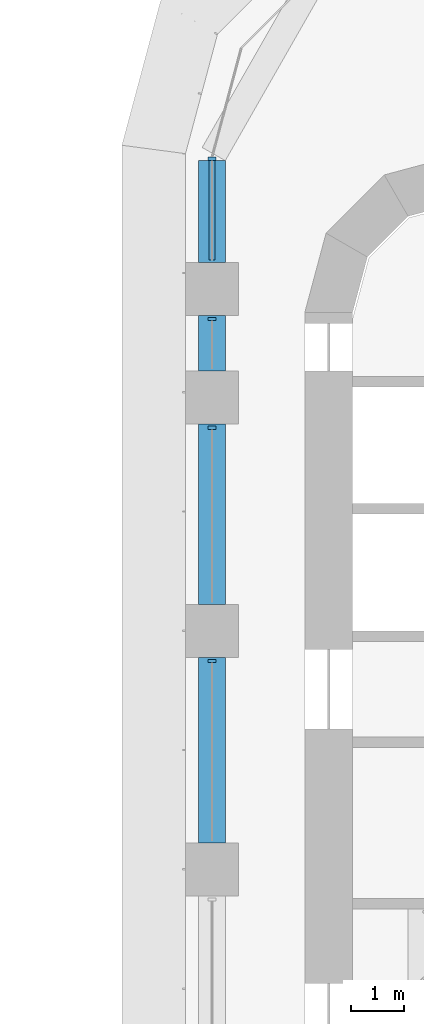
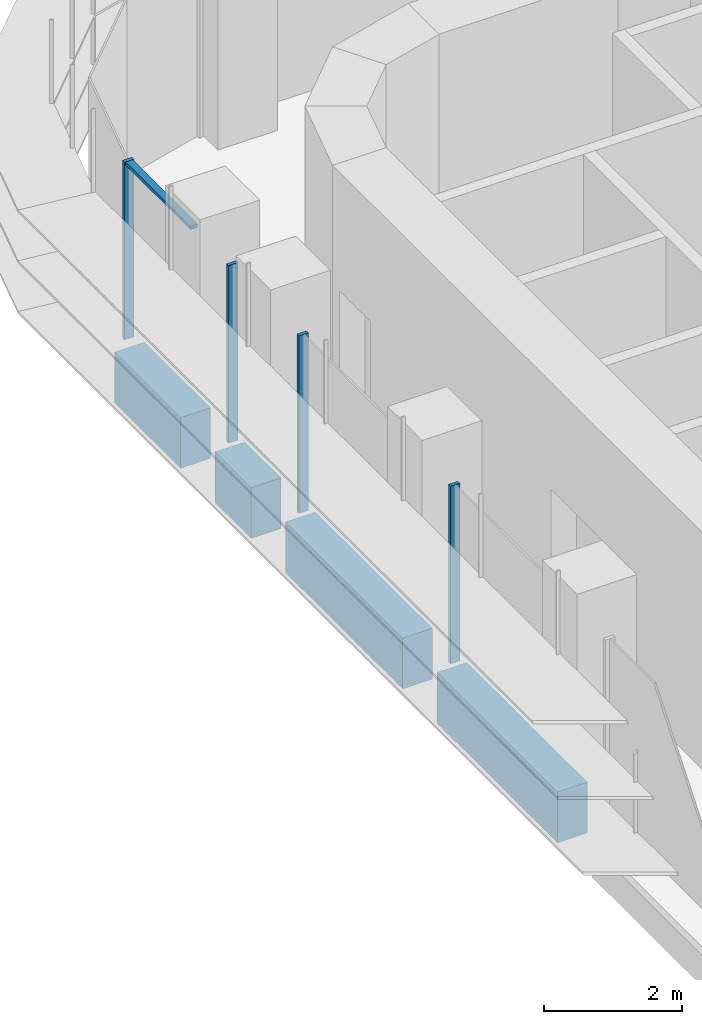
# One storey, part 7 of 23: 5 members, 4 beams, 1 element without a shape of its own.
"""IFC4 building model written with IfcOpenShell, lengths in metres."""

from ifc_helpers import new_model, si_unit, direction, frame, origin, origin_2d, place, context, subcontext, project, spatial, polyline, rectangle, outline, extrude, source, transform, mapped, material, material_profile, profile_set, type_object, element, aggregate, save


model = new_model("IFC4")

# Units and contexts
model_context = context("Model", 3, precision=1e-05, world=origin(), true_north=direction((0.0, 1.0)))
body_context = subcontext(model_context, "Body", "Model", "MODEL_VIEW")
ifc_project = project(units=[si_unit("LENGTHUNIT", "METRE"), si_unit("AREAUNIT", "SQUARE_METRE"), si_unit("VOLUMEUNIT", "CUBIC_METRE"), si_unit("PLANEANGLEUNIT", "RADIAN"), si_unit("MASSUNIT", "GRAM", prefix="KILO")], contexts=[model_context])

# Site, building, storey
site_placement = place(None, origin())
site = spatial("IfcSite", under=ifc_project, at=site_placement, CompositionType="ELEMENT")
building_placement = place(site_placement, origin())
building = spatial("IfcBuilding", under=site, at=building_placement, Name="Zarbagh Exchange Tower", CompositionType="ELEMENT")
storey_placement = place(building_placement, frame((0.0, 0.0, 64.800048828125)))
storey = spatial("IfcBuildingStorey", under=building, at=storey_placement, Name="L14", CompositionType="ELEMENT", Elevation=64.800048828125)

# Beams
ifc_material_1 = material(Name="Concrete C60/75", Category="concrete")
ifc_material_profile = material_profile(ifc_material_1, rectangle(XDim=0.5, YDim=0.89990234375, at=origin_2d()), Name="RC spandrel beam 500 x 900 C60/75")
ifc_profile_set = profile_set([ifc_material_profile], Name="Concrete C60/75")
beam_type = type_object("IfcBeamType", Name="RC spandrel beam 500 x 900 C60/75", PredefinedType="SPANDREL", material=ifc_profile_set)
beam_1_placement = place(storey_placement, frame((-6.25, 16.25, -0.60009765625), z_axis=(0.0, 1.0, 0.0), x_axis=(-1.0, 0.0, 0.0)))
element("IfcBeam", 1, at=beam_1_placement, inside=storey, type_object=beam_type, Name="RC spandrel beam", PredefinedType="SPANDREL", context=body_context, shape_type="SweptSolid", body=[
    extrude(rectangle(XDim=0.5, YDim=0.89990234375, at=origin_2d()), origin(), (0.0, 0.0, 1.0), 3.5),
])
beam_2_placement = place(storey_placement, frame((-6.25, 20.75, -0.60009765625), z_axis=(0.0, 1.0, 0.0), x_axis=(-1.0, 0.0, 0.0)))
element("IfcBeam", 2, at=beam_2_placement, inside=storey, type_object=beam_type, Name="RC spandrel beam", PredefinedType="SPANDREL", context=body_context, shape_type="SweptSolid", body=[
    extrude(rectangle(XDim=0.5, YDim=0.89990234375, at=origin_2d()), origin(), (0.0, 0.0, 1.0), 3.39990234375),
])
beam_3_placement = place(storey_placement, frame((-6.25, 25.14990234375, -0.60009765625), z_axis=(0.0, 1.0, 0.0), x_axis=(-1.0, 0.0, 0.0)))
element("IfcBeam", 3, at=beam_3_placement, inside=storey, type_object=beam_type, Name="RC spandrel beam", PredefinedType="SPANDREL", context=body_context, shape_type="SweptSolid", body=[
    extrude(rectangle(XDim=0.5, YDim=0.89990234375, at=origin_2d()), origin(), (0.0, 0.0, 1.0), 1.050048828125),
])
beam_4_placement = place(storey_placement, frame((-6.25, 27.199951171875, -0.60009765625), z_axis=(0.0, 1.0, 0.0), x_axis=(-1.0, 0.0, 0.0)))
element("IfcBeam", 4, at=beam_4_placement, inside=storey, type_object=beam_type, Name="RC spandrel beam", PredefinedType="SPANDREL", context=body_context, shape_type="SweptSolid", body=[
    extrude(rectangle(XDim=0.5, YDim=0.89990234375, at=origin_2d()), origin(), (0.0, 0.0, 1.0), 1.91796875),
])

# Curtain wall, members
ifc_material_2 = material(Name="Anodised aluminium frame and glazing", Category="aluminium")
curtain_wall_type = type_object("IfcCurtainWallType", Name="CWA Ribbon glazing, lower zones", PredefinedType="NOTDEFINED", material=ifc_material_2)
curtain_wall_placement = place(storey_placement, origin())
curtain_wall = element("IfcCurtainWall", 5, at=curtain_wall_placement, inside=storey, type_object=curtain_wall_type, Name="CWA28 curtain wall", PredefinedType="NOTDEFINED")
ifc_material_3 = material(Name="Anodised aluminium frame", Category="aluminium")
member_type_1 = type_object("IfcMemberType", Name="MUA Mullion, anodised aluminium frame", PredefinedType="MULLION", material=ifc_material_3)
shared_shape_1 = source(origin(), body_context, "Body", "SweptSolid", [
    extrude(outline(polyline([(0.0, -0.080078125), (0.06005859375, -0.080078125), (0.06005859375, 0.080078125), (0.0, 0.080078125), (0.0, -0.080078125)])), origin(), (0.0, 0.0, 1.0), 3.14990234375),
])
placement = place(storey_placement, origin())
member_1 = element("IfcMember", 6, at=placement, type_object=member_type_1, Name="CWA28 mullion 1.1", PredefinedType="MULLION", context=body_context, shape_type="MappedRepresentation", body=[
    mapped(shared_shape_1, transform((-6.25, 29.18408203125, 0.0), x_axis=(0.0, -1.0, 0.0), y_axis=(1.0, 0.0, 0.0), z_axis=(0.0, 0.0, 1.0))),
])
member_2 = element("IfcMember", 7, at=placement, type_object=member_type_1, Name="CWA28 mullion 2.1", PredefinedType="MULLION", context=body_context, shape_type="MappedRepresentation", body=[
    mapped(shared_shape_1, transform((-6.25, 26.159912109375, 0.0), x_axis=(0.0, -1.0, 0.0), y_axis=(1.0, 0.0, 0.0), z_axis=(0.0, 0.0, 1.0))),
])
member_3 = element("IfcMember", 8, at=placement, type_object=member_type_1, Name="CWA28 mullion 3.1", PredefinedType="MULLION", context=body_context, shape_type="MappedRepresentation", body=[
    mapped(shared_shape_1, transform((-6.25, 24.10986328125, 0.0), x_axis=(0.0, -1.0, 0.0), y_axis=(1.0, 0.0, 0.0), z_axis=(0.0, 0.0, 1.0))),
])
member_4 = element("IfcMember", 9, at=placement, type_object=member_type_1, Name="CWA28 mullion 4.1", PredefinedType="MULLION", context=body_context, shape_type="MappedRepresentation", body=[
    mapped(shared_shape_1, transform((-6.25, 19.7099609375, 0.0), x_axis=(0.0, -1.0, 0.0), y_axis=(1.0, 0.0, 0.0), z_axis=(0.0, 0.0, 1.0))),
])
member_type_2 = type_object("IfcMemberType", Name="TRA Transom, anodised aluminium frame", PredefinedType="USERDEFINED", material=ifc_material_3)
shared_shape_2 = source(origin(), body_context, "Body", "SweptSolid", [
    extrude(outline(polyline([(-0.06005859375, -0.06005859375), (0.0, -0.06005859375), (0.0, 0.06005859375), (-0.06005859375, 0.06005859375), (-0.06005859375, -0.06005859375)])), origin(), (0.0, 0.0, 1.0), 1.88427734375),
])
member_5 = element("IfcMember", 10, at=placement, type_object=member_type_2, Name="CWA28 transom 1.1", ObjectType="TRANSOM", PredefinedType="USERDEFINED", context=body_context, shape_type="MappedRepresentation", body=[
    mapped(shared_shape_2, transform((-6.25, 29.124267578125, 3.14990234375), x_axis=(0.0, 0.0, 1.0), y_axis=(-1.0, 0.0, 0.0), z_axis=(0.0, -1.0, 0.0))),
])
aggregate(curtain_wall, [member_1, member_5, member_2, member_3, member_4])

save(model, "model.ifc")
